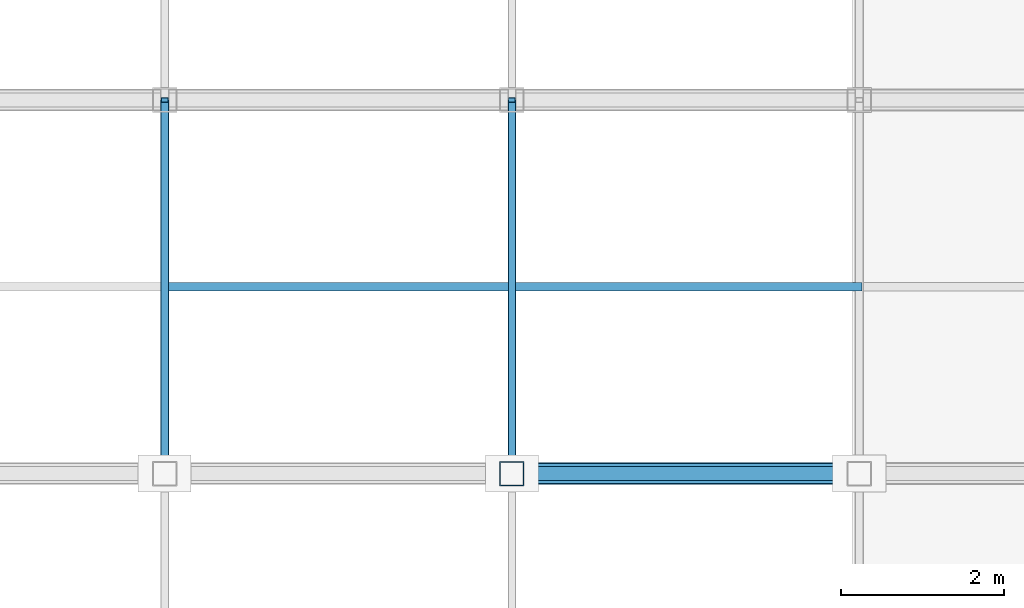
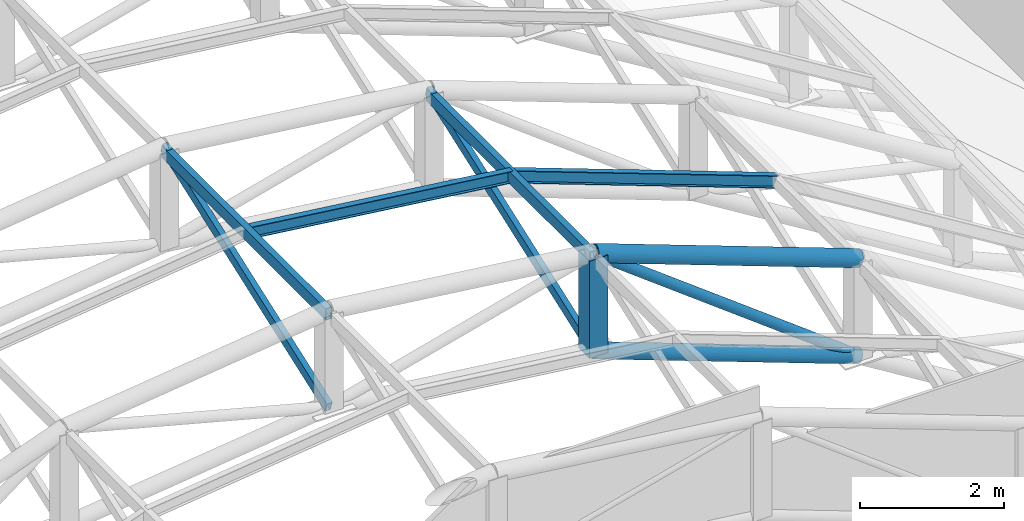
# One storey, part 12 of 86: 10 members.
"""IFC4 building model written with IfcOpenShell, lengths in metres."""

from ifc_helpers import new_model, si_unit, direction, frame, origin, origin_2d, place, context, subcontext, project, spatial, hollow_rectangle, hollow_circle, i_section, extrude, material, material_profile, profile_set, type_object, element, save


model = new_model("IFC4")

# Units and contexts
model_context = context("Model", 3, precision=1e-05, world=origin(), true_north=direction((0.0, 1.0)))
body_context = subcontext(model_context, "Body", "Model", "MODEL_VIEW")
ifc_project = project(units=[si_unit("LENGTHUNIT", "METRE"), si_unit("AREAUNIT", "SQUARE_METRE"), si_unit("VOLUMEUNIT", "CUBIC_METRE"), si_unit("PLANEANGLEUNIT", "RADIAN"), si_unit("MASSUNIT", "GRAM", prefix="KILO")], contexts=[model_context])

# Site, building, storey
site_placement = place(None, origin())
site = spatial("IfcSite", under=ifc_project, at=site_placement, CompositionType="ELEMENT")
building_placement = place(site_placement, origin())
building = spatial("IfcBuilding", under=site, at=building_placement, Name="Solvikara Media Centre", CompositionType="ELEMENT")
storey_placement = place(building_placement, frame((0.0, 0.0, 15.0)))
storey = spatial("IfcBuildingStorey", under=building, at=storey_placement, Name="L03", CompositionType="ELEMENT", Elevation=15.0)

# Members
ifc_material = material(Name="Steel S355JR", Category="steel")
ifc_material_profile_1 = material_profile(ifc_material, hollow_circle(Radius=0.136474609375, WallThickness=0.010009765625, at=origin_2d()), Name="CHS 273x10")
ifc_profile_set_1 = profile_set([ifc_material_profile_1], Name="Steel S355JR")
member_type_1 = type_object("IfcMemberType", Name="MB-03", PredefinedType="CHORD", material=ifc_profile_set_1)
member_1_placement = place(storey_placement, frame((21.25, 4.571044921875, 7.580078125), z_axis=(0.937668166589, 0.0, -0.347531882516), x_axis=(0.0, 1.0, 0.0)))
element("IfcMember", 1, at=member_1_placement, inside=storey, type_object=member_type_1, Name="Space Frame Vault Chord GC-TC-01-05", PredefinedType="CHORD", context=body_context, shape_type="SweptSolid", body=[
    extrude(hollow_circle(Radius=0.136474609375, WallThickness=0.010009765625, at=origin_2d()), origin(), (0.0, 0.0, 1.0), 4.532470703125),
])
ifc_material_profile_2 = material_profile(ifc_material, hollow_circle(Radius=0.122314453125, WallThickness=0.010009765625, at=origin_2d()), Name="CHS 244.5x10")
ifc_profile_set_2 = profile_set([ifc_material_profile_2], Name="Steel S355JR")
member_type_2 = type_object("IfcMemberType", Name="MB-04", PredefinedType="CHORD", material=ifc_profile_set_2)
member_2_placement = place(storey_placement, frame((21.25, 4.571044921875, 5.929931640625), z_axis=(0.93768571843, 0.0, -0.34748452261), x_axis=(0.0, 1.0, 0.0)))
element("IfcMember", 2, at=member_2_placement, inside=storey, type_object=member_type_2, Name="GC-BC-01-05", PredefinedType="CHORD", context=body_context, shape_type="SweptSolid", body=[
    extrude(hollow_circle(Radius=0.122314453125, WallThickness=0.010009765625, at=origin_2d()), origin(), (0.0, 0.0, 1.0), 4.532470703125),
])
ifc_material_profile_3 = material_profile(ifc_material, hollow_circle(Radius=0.084228515625, WallThickness=0.007080078125, at=origin_2d()), Name="CHS 168.3x7.1")
ifc_profile_set_3 = profile_set([ifc_material_profile_3], Name="Steel S355JR")
member_type_3 = type_object("IfcMemberType", Name="MB-07", PredefinedType="BRACE", material=ifc_profile_set_3)
member_3_placement = place(storey_placement, frame((21.25, 4.571044921875, 7.580078125), z_axis=(0.796604645228, 0.0, -0.604500652772), x_axis=(0.0, 1.0, 0.0)))
element("IfcMember", 3, at=member_3_placement, inside=storey, type_object=member_type_3, Name="GC-DG-01-05", PredefinedType="BRACE", context=body_context, shape_type="SweptSolid", body=[
    extrude(hollow_circle(Radius=0.084228515625, WallThickness=0.007080078125, at=origin_2d()), origin(), (0.0, 0.0, 1.0), 5.335205078125),
])
ifc_material_profile_4 = material_profile(ifc_material, hollow_rectangle(XDim=0.300048828125, YDim=0.300048828125, WallThickness=0.012451171875, at=origin_2d()), Name="RHS 300x300x12.5")
ifc_profile_set_4 = profile_set([ifc_material_profile_4], Name="Steel S355JR")
member_type_4 = type_object("IfcMemberType", Name="MB-11", PredefinedType="CHORD", material=ifc_profile_set_4)
member_4_placement = place(storey_placement, frame((21.25, 4.571044921875, 5.929931640625), z_axis=(0.0, 0.0, 1.0), x_axis=(1.0, 0.0, 0.0)))
element("IfcMember", 4, at=member_4_placement, inside=storey, type_object=member_type_4, Name="GC-VT-01-05", PredefinedType="CHORD", context=body_context, shape_type="SweptSolid", body=[
    extrude(hollow_rectangle(XDim=0.300048828125, YDim=0.300048828125, WallThickness=0.012451171875, at=origin_2d()), origin(), (0.0, 0.0, 1.0), 1.650146484375),
])
ifc_material_profile_5 = material_profile(ifc_material, hollow_rectangle(XDim=0.10009765625, YDim=0.199951171875, WallThickness=0.00634765625, at=origin_2d()), Name="RHS 200x100x6.3")
ifc_profile_set_5 = profile_set([ifc_material_profile_5], Name="Steel S355JR")
member_type_5 = type_object("IfcMemberType", Name="MB-17", PredefinedType="PURLIN", material=ifc_profile_set_5)
for number, where, z_axis, x_axis, name in (
    (5, (17.0, 4.571044921875, 8.0400390625), (0.0, 1.0, 0.0), (-1.0, 0.0, 0.0), "GC-PRL-01-04"),
    (6, (21.25, 4.571044921875, 7.514892578125), (0.0, 1.0, 0.0), (-1.0, 0.0, 0.0), "GC-PRL-01-05"),
):
    element("IfcMember", number, at=place(storey_placement, frame(where, z_axis=z_axis, x_axis=x_axis)), inside=storey, type_object=member_type_5, Name=name, PredefinedType="PURLIN", context=body_context, shape_type="SweptSolid", body=[
        extrude(hollow_rectangle(XDim=0.10009765625, YDim=0.199951171875, WallThickness=0.00634765625, at=origin_2d()), origin(), (0.0, 0.0, 1.0), 4.572021484375),
    ])
ifc_material_profile_6 = material_profile(ifc_material, i_section(OverallWidth=0.10009765625, OverallDepth=0.199951171875, WebThickness=0.005615234375, FlangeThickness=0.008056640625, at=origin_2d()), Name="WF 200x100x5.5x8")
ifc_profile_set_6 = profile_set([ifc_material_profile_6], Name="Steel S355JR")
member_type_6 = type_object("IfcMemberType", Name="MB-21", PredefinedType="PURLIN", material=ifc_profile_set_6)
member_5_placement = place(storey_placement, frame((17.0, 6.85693359375, 8.0400390625), z_axis=(0.992452303661, 0.0, -0.122631256042), x_axis=(0.0, 1.0, 0.0)))
element("IfcMember", 7, at=member_5_placement, inside=storey, type_object=member_type_6, Name="GC-SUB-01-04", PredefinedType="PURLIN", context=body_context, shape_type="SweptSolid", body=[
    extrude(i_section(OverallWidth=0.10009765625, OverallDepth=0.199951171875, WebThickness=0.005615234375, FlangeThickness=0.008056640625, at=origin_2d()), origin(), (0.0, 0.0, 1.0), 4.2822265625),
])
member_6_placement = place(storey_placement, frame((21.25, 6.85693359375, 7.514892578125), z_axis=(0.93768571843, 0.0, -0.34748452261), x_axis=(0.0, 1.0, 0.0)))
element("IfcMember", 8, at=member_6_placement, inside=storey, type_object=member_type_6, Name="GC-SUB-01-05", PredefinedType="PURLIN", context=body_context, shape_type="SweptSolid", body=[
    extrude(i_section(OverallWidth=0.10009765625, OverallDepth=0.199951171875, WebThickness=0.005615234375, FlangeThickness=0.008056640625, at=origin_2d()), origin(), (0.0, 0.0, 1.0), 4.532470703125),
])
ifc_material_profile_7 = material_profile(ifc_material, hollow_rectangle(XDim=0.090087890625, YDim=0.169921875, WallThickness=0.0048828125, at=origin_2d()), Name="RHS 170x90x5")
ifc_profile_set_7 = profile_set([ifc_material_profile_7], Name="Steel S355JR")
member_type_7 = type_object("IfcMemberType", Name="MB-26", PredefinedType="PURLIN", material=ifc_profile_set_7)
for number, where, z_axis, x_axis, name in (
    (9, (17.0, 4.571044921875, 6.455078125), (0.0, 0.9406265293, 0.339443268276), (-1.0, 0.0, 0.0), "GC-3D-01-04"),
    (10, (21.25, 4.571044921875, 5.929931640625), (0.0, 0.940610491143, 0.339487708102), (-1.0, 0.0, 0.0), "GC-3D-01-05"),
):
    element("IfcMember", number, at=place(storey_placement, frame(where, z_axis=z_axis, x_axis=x_axis)), inside=storey, type_object=member_type_7, Name=name, PredefinedType="PURLIN", context=body_context, shape_type="SweptSolid", body=[
        extrude(hollow_rectangle(XDim=0.090087890625, YDim=0.169921875, WallThickness=0.0048828125, at=origin_2d()), origin(), (0.0, 0.0, 1.0), 4.860595703125),
    ])

save(model, "model.ifc")
